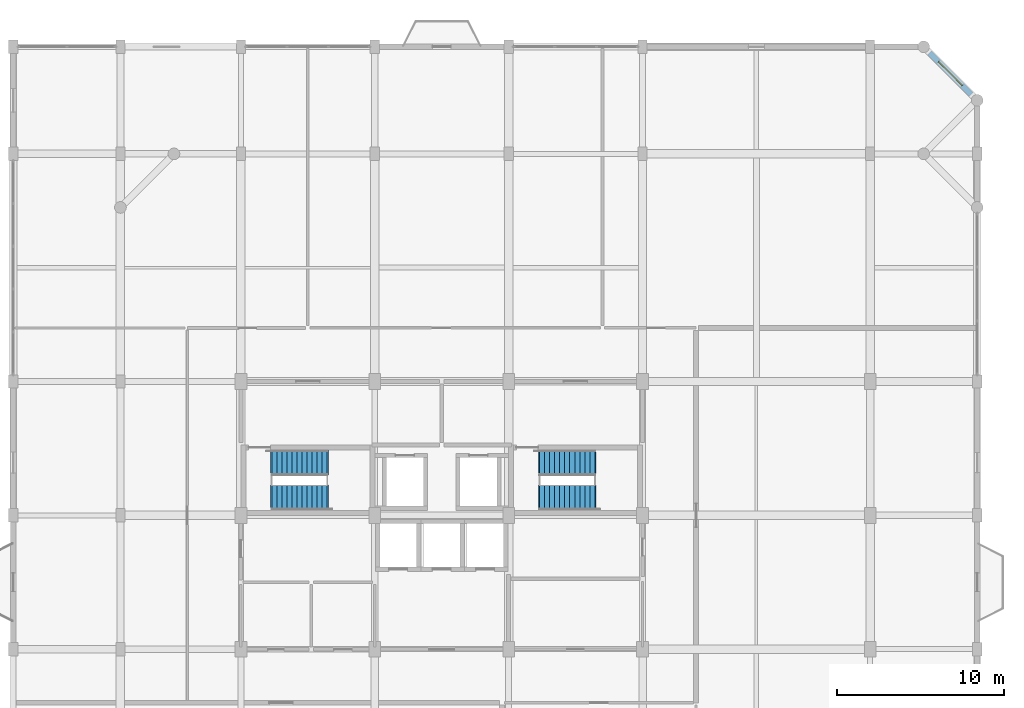
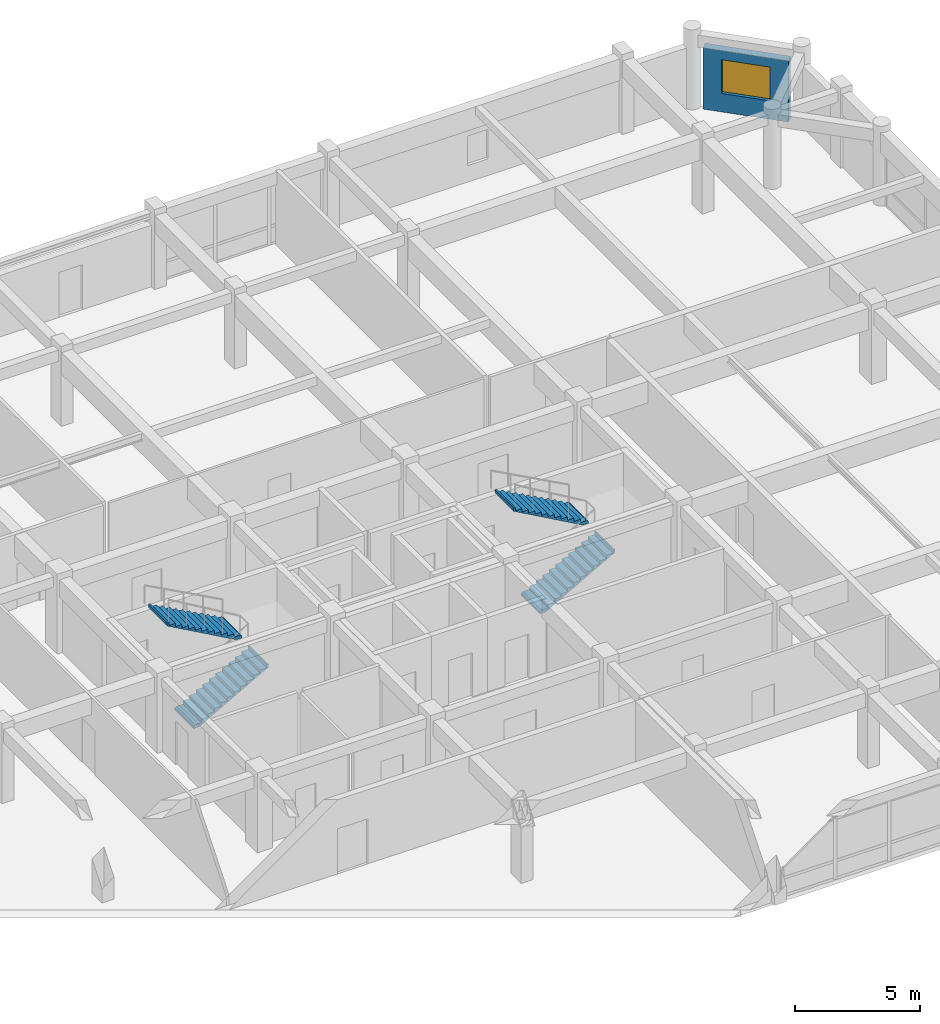
# One storey, part 14 of 15: 4 stair flights, 1 wall, 1 window, 1 opening, 2 elements without a shape of their own.
"""IFC4 building model written with IfcOpenShell, lengths in metres."""

import ifcopenshell
import ifcopenshell.guid

model = None  # the IFC model being written
_history = None  # IfcOwnerHistory: only IFC2X3 demands one
_inside = {}  # id of a spatial element -> (the spatial element, [elements in it])
_under = {}  # id of a project, library or spatial element -> (it, [spatial elements below it])
_declared = {}  # id of a project -> (the project, [libraries it declares])
_typed = {}  # id of a type object -> (the type object, [elements of that type])
_made_of = {}  # id of a material, layer set ... -> (it, [elements and type objects made of it])


def new_model(schema):
    """Start an empty IFC model of exactly this schema.

    Asked for "IFC4X3", IfcOpenShell would pick the latest addendum, in which some entities
    have other attributes; the version numbers below select the first issue.
    IFC2X3 requires an IfcOwnerHistory on every rooted entity: one is made here for all.
    """
    global model, _history
    if schema == "IFC4X3":
        model = ifcopenshell.file(schema_version=(4, 3, 0, 0))
    else:
        model = ifcopenshell.file(schema=schema)
    _inside.clear()
    _under.clear()
    _declared.clear()
    _typed.clear()
    _made_of.clear()
    _history = None
    if model.schema == "IFC2X3":
        org = make("IfcOrganization", Name="unknown")
        user = make(
            "IfcPersonAndOrganization",
            ThePerson=make("IfcPerson", FamilyName="unknown"),
            TheOrganization=org,
        )
        app = make(
            "IfcApplication",
            ApplicationDeveloper=org,
            Version="unknown",
            ApplicationFullName="unknown",
            ApplicationIdentifier="unknown",
        )
        _history = make(
            "IfcOwnerHistory",
            OwningUser=user,
            OwningApplication=app,
            ChangeAction="ADDED",
            CreationDate=0,
        )
    return model


def make(cls, **values):
    """One entity of the class cls with the attributes given. An attribute that is None is left unset."""
    return model.create_entity(
        cls, **{name: value for name, value in values.items() if value is not None}
    )


def rooted(cls, **values):
    """An entity with a GlobalId (a new one), such as an element, a storey or a relation."""
    return make(cls, GlobalId=ifcopenshell.guid.new(), OwnerHistory=_history, **values)


def si_unit(unit_type, name, prefix=None):
    """IfcSIUnit, for example si_unit("LENGTHUNIT", "METRE", prefix="MILLI")."""
    return make("IfcSIUnit", UnitType=unit_type, Prefix=prefix, Name=name)


def assignment(units):
    """IfcUnitAssignment: the units of a project."""
    return None if units is None else make("IfcUnitAssignment", Units=units)


def point(xyz):
    """IfcCartesianPoint."""
    return None if xyz is None else make("IfcCartesianPoint", Coordinates=xyz)


def direction(xyz):
    """IfcDirection."""
    return None if xyz is None else make("IfcDirection", DirectionRatios=xyz)


def frame(location, z_axis=None, x_axis=None):
    """IfcAxis2Placement3D, a coordinate frame: its origin and axes. An axis left out is left unset."""
    return make(
        "IfcAxis2Placement3D",
        Location=point(location),
        Axis=direction(z_axis),
        RefDirection=direction(x_axis),
    )


def frame_2d(location, x_axis=None):
    """IfcAxis2Placement2D, a coordinate frame in the plane: its origin and x axis."""
    return make(
        "IfcAxis2Placement2D", Location=point(location), RefDirection=direction(x_axis)
    )


def origin():
    """The frame at (0, 0, 0) with its axes left unset."""
    return frame((0.0, 0.0, 0.0))


def place(relative_to, where):
    """IfcLocalPlacement: puts the frame where relative to a parent placement (None: the world)."""
    return make(
        "IfcLocalPlacement", PlacementRelTo=relative_to, RelativePlacement=where
    )


def context(
    kind, dimensions, precision=None, world=None, true_north=None, identifier=None
):
    """IfcGeometricRepresentationContext, for example the 3D "Model" context."""
    return make(
        "IfcGeometricRepresentationContext",
        ContextIdentifier=identifier,
        ContextType=kind,
        CoordinateSpaceDimension=dimensions,
        Precision=precision,
        WorldCoordinateSystem=world,
        TrueNorth=true_north,
    )


def subcontext(parent, identifier, kind, view, scale=None):
    """IfcGeometricRepresentationSubContext, for example "Body" below "Model"."""
    return make(
        "IfcGeometricRepresentationSubContext",
        ContextIdentifier=identifier,
        ContextType=kind,
        ParentContext=parent,
        TargetScale=scale,
        TargetView=view,
    )


def project(units=None, contexts=None):
    """IfcProject with its units and contexts."""
    return rooted(
        "IfcProject",
        Name="project",
        RepresentationContexts=contexts,
        UnitsInContext=assignment(units),
    )


def spatial(cls, under=None, at=None, **own):
    """A site, building, storey or space (cls), placed at a placement, below another one or the project."""
    s = rooted(cls, ObjectPlacement=at, **own)
    if under is not None:
        _under.setdefault(under.id(), (under, []))[1].append(s)
    return s


def polyline(points):
    """IfcPolyline through the points."""
    return make("IfcPolyline", Points=[point(p) for p in points])


def profile(cls, at=None, kind="AREA", **sizes):
    """A parametric profile (cls). Its sizes go by their IFC names, for example OverallWidth=200.0."""
    return make(cls, ProfileType=kind, Position=at, **sizes)


def rectangle(**sizes):
    """IfcRectangleProfileDef."""
    return profile("IfcRectangleProfileDef", **sizes)


def outline(outer, holes=None, kind="AREA"):
    """IfcArbitraryClosedProfileDef: a profile drawn as a closed curve; with holes, ...WithVoids."""
    if holes is None:
        return make("IfcArbitraryClosedProfileDef", ProfileType=kind, OuterCurve=outer)
    return make(
        "IfcArbitraryProfileDefWithVoids",
        ProfileType=kind,
        OuterCurve=outer,
        InnerCurves=holes,
    )


def extrude(swept, where, along, depth):
    """IfcExtrudedAreaSolid: the profile swept, set in the frame where, extruded along a direction by depth."""
    return make(
        "IfcExtrudedAreaSolid",
        SweptArea=swept,
        Position=where,
        ExtrudedDirection=direction(along),
        Depth=depth,
    )


def shape(context_of_items, identifier, shape_type, items):
    """IfcShapeRepresentation: the items that make up one representation, for example the "Body"."""
    return make(
        "IfcShapeRepresentation",
        ContextOfItems=context_of_items,
        RepresentationIdentifier=identifier,
        RepresentationType=shape_type,
        Items=items,
    )


def material(Name=None, Category=None):
    """IfcMaterial."""
    return make("IfcMaterial", Name=Name, Category=Category)


def layer(
    of_material, thickness, ventilated=None, Name=None, Category=None, Priority=None
):
    """IfcMaterialLayer: one layer of a wall or slab, of a material (None: an air gap)."""
    return make(
        "IfcMaterialLayer",
        Material=of_material,
        LayerThickness=thickness,
        IsVentilated=ventilated,
        Name=Name,
        Category=Category,
        Priority=Priority,
    )


def layer_set(layers, Name=None):
    """IfcMaterialLayerSet."""
    return make("IfcMaterialLayerSet", MaterialLayers=layers, LayerSetName=Name)


def made_of(thing, what):
    """Note that an element or type object is made of a material, layer set ...; save() writes the relation."""
    if what is not None:
        _made_of.setdefault(what.id(), (what, []))[1].append(thing)
    return thing


def type_object(cls, material=None, **own):
    """A type object (cls), such as IfcWallType, which elements share."""
    return made_of(rooted(cls, **own), material)


def element(
    cls,
    number,
    at=None,
    inside=None,
    cuts=None,
    type_object=None,
    material=None,
    context=None,
    identifier="Body",
    shape_type=None,
    held_by="IfcProductDefinitionShape",
    body=None,
    shapes=None,
    **own,
):
    """One element of the class cls, such as IfcWall. Its Tag is "e" and its number.

    at: its placement. inside: the storey or other place that contains it. cuts: it is an
    opening in that element (IfcRelVoidsElement). A single representation is given by context,
    identifier, shape_type and body (its items); several are given by shapes. held_by: the class
    of the entity that holds the representations. save() writes the other relations.
    """
    e = rooted(cls, Tag="e%d" % number, ObjectPlacement=at, **own)
    if body is not None:
        shapes = [shape(context, identifier, shape_type, body)]
    if shapes is not None:
        e.Representation = make(held_by, Representations=shapes)
    if inside is not None:
        _inside.setdefault(inside.id(), (inside, []))[1].append(e)
    if cuts is not None:
        rooted(
            "IfcRelVoidsElement", RelatingBuildingElement=cuts, RelatedOpeningElement=e
        )
    if type_object is not None:
        _typed.setdefault(type_object.id(), (type_object, []))[1].append(e)
    return made_of(e, material)


def fill(opening, filler):
    """IfcRelFillsElement: the door or window that sits in an opening."""
    return rooted(
        "IfcRelFillsElement",
        RelatingOpeningElement=opening,
        RelatedBuildingElement=filler,
    )


def aggregate(whole, parts):
    """IfcRelAggregates: a whole, such as a stair, and the parts it consists of."""
    return rooted("IfcRelAggregates", RelatingObject=whole, RelatedObjects=parts)


def save(model, path):
    """Write the relations noted so far, then the file.

    IfcRelAggregates (storeys below a building ...), IfcRelContainedInSpatialStructure (elements
    in a storey), IfcRelDefinesByType, IfcRelAssociatesMaterial and IfcRelDeclares: one each for
    every whole, place, type object, material and project.
    """
    for whole, parts in _under.values():
        aggregate(whole, parts)
    for where, things in _inside.values():
        rooted(
            "IfcRelContainedInSpatialStructure",
            RelatedElements=things,
            RelatingStructure=where,
        )
    for kind, things in _typed.values():
        rooted("IfcRelDefinesByType", RelatedObjects=things, RelatingType=kind)
    for what, things in _made_of.values():
        rooted("IfcRelAssociatesMaterial", RelatedObjects=things, RelatingMaterial=what)
    for by, libraries in _declared.values():
        rooted("IfcRelDeclares", RelatingContext=by, RelatedDefinitions=libraries)
    model.write(path)


model = new_model("IFC4")

# Units and contexts
model_context = context("Model", 3, precision=1e-05, world=origin(), true_north=direction((0.0, 1.0)))
body_context = subcontext(model_context, "Body", "Model", "MODEL_VIEW")
ifc_project = project(units=[si_unit("LENGTHUNIT", "METRE"), si_unit("AREAUNIT", "SQUARE_METRE"), si_unit("VOLUMEUNIT", "CUBIC_METRE"), si_unit("PLANEANGLEUNIT", "RADIAN"), si_unit("MASSUNIT", "GRAM", prefix="KILO")], contexts=[model_context])

# Site, building, storey
site_placement = place(None, origin())
site = spatial("IfcSite", under=ifc_project, at=site_placement, CompositionType="ELEMENT")
building_placement = place(site_placement, origin())
building = spatial("IfcBuilding", under=site, at=building_placement, Name="Vellmiral Cinema and Media Centre", CompositionType="ELEMENT")
storey_placement = place(building_placement, frame((0.0, 0.0, 35.60009765625)))
storey = spatial("IfcBuildingStorey", under=building, at=storey_placement, Name="L08", CompositionType="ELEMENT", Elevation=35.60009765625)

# Wall, opening, window
ifc_material_1 = material(Name="Vosges Red Sandstone Masonry", Category="masonry")
ifc_layer = layer(ifc_material_1, 0.340087890625, Name="Vosges Red Sandstone Masonry")
ifc_layer_set = layer_set([ifc_layer], Name="Vosges Red Sandstone Masonry")
wall_type = type_object("IfcWallType", Name="WL-EXT-SAND-340", PredefinedType="SOLIDWALL", material=ifc_layer_set)
wall_placement = place(storey_placement, frame((167.64990234375, 112.35009765625, 0.0), z_axis=(0.0, 0.0, 1.0), x_axis=(-0.707106781187, 0.707106781187, 0.0)))
wall = element("IfcWall", 1, at=wall_placement, inside=storey, type_object=wall_type, Name="Exterior Facade Wall L08-016", PredefinedType="SOLIDWALL", context=body_context, shape_type="SweptSolid", body=[
    extrude(rectangle(XDim=3.53564453125, YDim=0.340087890625, at=frame_2d((1.767822265625, 0.0))), origin(), (0.0, 0.0, 1.0), 2.994873046875),
])
opening_placement = place(wall_placement, frame((0.767822265625, 0.0, 0.89990234375)))
opening = element("IfcOpeningElement", 2, at=opening_placement, cuts=wall, Name="Opening WN-14", PredefinedType="OPENING", context=body_context, shape_type="SweptSolid", body=[
    extrude(rectangle(XDim=2.0, YDim=1.64990234375, at=frame_2d((1.0, 0.824951171875))), frame((0.0, 0.18212890625, 0.0), z_axis=(0.0, -1.0, 0.0), x_axis=(1.0, 0.0, 0.0)), (0.0, 0.0, 1.0), 0.364013671875),
])
ifc_material_2 = material(Name="Thermally Broken Aluminium Triple Glazing", Category="aluminium")
window_type = type_object("IfcWindowType", Name="WN-2000x1650", PartitioningType="DOUBLE_PANEL_HORIZONTAL", PredefinedType="WINDOW", material=ifc_material_2)
window_placement = place(opening_placement, origin())
window = element("IfcWindow", 3, at=window_placement, inside=storey, type_object=window_type, Name="Window L08-016", OverallHeight=1.64990234375, OverallWidth=2.0, PartitioningType="DOUBLE_PANEL_HORIZONTAL", PredefinedType="WINDOW", context=body_context, shape_type="SweptSolid", body=[
    extrude(rectangle(XDim=2.0, YDim=1.64990234375, at=frame_2d((1.0, 0.824951171875))), frame((0.0, 0.030029296875, 0.0), z_axis=(0.0, -1.0, 0.0), x_axis=(1.0, 0.0, 0.0)), (0.0, 0.0, 1.0), 0.06005859375),
])
fill(opening, window)

# Stair, stair flights
ifc_material_3 = material(Name="Concrete C40/50", Category="concrete")
stair_type = type_object("IfcStairType", Name="ST-2RET-390", PredefinedType="HALF_TURN_STAIR", material=ifc_material_3)
stair_1_placement = place(storey_placement, origin())
stair_1 = element("IfcStair", 4, at=stair_1_placement, inside=storey, type_object=stair_type, Name="Protected Escape Stair ST-T1 (L08)", PredefinedType="HALF_TURN_STAIR")
ifc_material_4 = material(Name="Concrete C40/50", Category="concrete")
stair_flight_type = type_object("IfcStairFlightType", Name="STF-STR-390", PredefinedType="STRAIGHT", material=ifc_material_4)
stair_flight_1_placement = place(storey_placement, frame((125.85009765625, 88.25, 0.0), z_axis=(0.0, 0.0, 1.0), x_axis=(1.0, 0.0, 0.0)))
stair_flight_1 = element("IfcStairFlight", 5, at=stair_flight_1_placement, type_object=stair_flight_type, Name="ST-T1 flight 1", NumberOfRisers=12, NumberOfTreads=11, PredefinedType="STRAIGHT", RiserHeight=0.1625, TreadLength=0.3, context=body_context, shape_type="SweptSolid", body=[
    extrude(outline(polyline([(-0.080078125, 0.0), (-0.080078125, 0.097412109375), (0.0, 0.16259765625), (0.300048828125, 0.16259765625), (0.300048828125, 0.324951171875), (0.60009765625, 0.324951171875), (0.60009765625, 0.487548828125), (0.89990234375, 0.487548828125), (0.89990234375, 0.64990234375), (1.199951171875, 0.64990234375), (1.199951171875, 0.8125), (1.5, 0.8125), (1.5, 0.97509765625), (1.800048828125, 0.97509765625), (1.800048828125, 1.137451171875), (2.10009765625, 1.137451171875), (2.10009765625, 1.300048828125), (2.39990234375, 1.300048828125), (2.39990234375, 1.46240234375), (2.699951171875, 1.46240234375), (2.699951171875, 1.625), (3.0, 1.625), (3.0, 1.78759765625), (3.300048828125, 1.78759765625), (3.300048828125, 1.949951171875), (3.380126953125, 1.949951171875), (3.380126953125, 1.7900390625), (0.179931640625, 0.0), (-0.080078125, 0.0)])), frame((0.0, 0.75, 0.0), z_axis=(0.0, -1.0, 0.0), x_axis=(1.0, 0.0, 0.0)), (0.0, 0.0, 1.0), 1.5),
])
stair_flight_2_placement = place(storey_placement, frame((129.14990234375, 90.35009765625, 1.949951171875), z_axis=(0.0, 0.0, 1.0), x_axis=(-1.0, 0.0, 0.0)))
stair_flight_2 = element("IfcStairFlight", 6, at=stair_flight_2_placement, type_object=stair_flight_type, Name="ST-T1 flight 2", NumberOfRisers=12, NumberOfTreads=11, PredefinedType="STRAIGHT", RiserHeight=0.1625, TreadLength=0.3, context=body_context, shape_type="SweptSolid", body=[
    extrude(outline(polyline([(-0.080078125, 0.0), (-0.080078125, 0.097412109375), (0.0, 0.16259765625), (0.300048828125, 0.16259765625), (0.300048828125, 0.324951171875), (0.60009765625, 0.324951171875), (0.60009765625, 0.487548828125), (0.89990234375, 0.487548828125), (0.89990234375, 0.64990234375), (1.199951171875, 0.64990234375), (1.199951171875, 0.8125), (1.5, 0.8125), (1.5, 0.97509765625), (1.800048828125, 0.97509765625), (1.800048828125, 1.137451171875), (2.10009765625, 1.137451171875), (2.10009765625, 1.300048828125), (2.39990234375, 1.300048828125), (2.39990234375, 1.46240234375), (2.699951171875, 1.46240234375), (2.699951171875, 1.625), (3.0, 1.625), (3.0, 1.78759765625), (3.300048828125, 1.78759765625), (3.300048828125, 1.949951171875), (3.380126953125, 1.949951171875), (3.380126953125, 1.7900390625), (0.179931640625, 0.0), (-0.080078125, 0.0)])), frame((0.0, 0.75, 0.0), z_axis=(0.0, -1.0, 0.0), x_axis=(1.0, 0.0, 0.0)), (0.0, 0.0, 1.0), 1.5),
])
aggregate(stair_1, [stair_flight_1, stair_flight_2])

stair_2_placement = place(storey_placement, origin())
stair_2 = element("IfcStair", 7, at=stair_2_placement, inside=storey, type_object=stair_type, Name="Protected Escape Stair ST-T2 (L08)", PredefinedType="HALF_TURN_STAIR")
stair_flight_3_placement = place(storey_placement, frame((141.85009765625, 88.25, 0.0), z_axis=(0.0, 0.0, 1.0), x_axis=(1.0, 0.0, 0.0)))
stair_flight_3 = element("IfcStairFlight", 8, at=stair_flight_3_placement, type_object=stair_flight_type, Name="ST-T2 flight 1", NumberOfRisers=12, NumberOfTreads=11, PredefinedType="STRAIGHT", RiserHeight=0.1625, TreadLength=0.3, context=body_context, shape_type="SweptSolid", body=[
    extrude(outline(polyline([(-0.080078125, 0.0), (-0.080078125, 0.097412109375), (0.0, 0.16259765625), (0.300048828125, 0.16259765625), (0.300048828125, 0.324951171875), (0.60009765625, 0.324951171875), (0.60009765625, 0.487548828125), (0.89990234375, 0.487548828125), (0.89990234375, 0.64990234375), (1.199951171875, 0.64990234375), (1.199951171875, 0.8125), (1.5, 0.8125), (1.5, 0.97509765625), (1.800048828125, 0.97509765625), (1.800048828125, 1.137451171875), (2.10009765625, 1.137451171875), (2.10009765625, 1.300048828125), (2.39990234375, 1.300048828125), (2.39990234375, 1.46240234375), (2.699951171875, 1.46240234375), (2.699951171875, 1.625), (3.0, 1.625), (3.0, 1.78759765625), (3.300048828125, 1.78759765625), (3.300048828125, 1.949951171875), (3.380126953125, 1.949951171875), (3.380126953125, 1.7900390625), (0.179931640625, 0.0), (-0.080078125, 0.0)])), frame((0.0, 0.75, 0.0), z_axis=(0.0, -1.0, 0.0), x_axis=(1.0, 0.0, 0.0)), (0.0, 0.0, 1.0), 1.5),
])
stair_flight_4_placement = place(storey_placement, frame((145.14990234375, 90.35009765625, 1.949951171875), z_axis=(0.0, 0.0, 1.0), x_axis=(-1.0, 0.0, 0.0)))
stair_flight_4 = element("IfcStairFlight", 9, at=stair_flight_4_placement, type_object=stair_flight_type, Name="ST-T2 flight 2", NumberOfRisers=12, NumberOfTreads=11, PredefinedType="STRAIGHT", RiserHeight=0.1625, TreadLength=0.3, context=body_context, shape_type="SweptSolid", body=[
    extrude(outline(polyline([(-0.080078125, 0.0), (-0.080078125, 0.097412109375), (0.0, 0.16259765625), (0.300048828125, 0.16259765625), (0.300048828125, 0.324951171875), (0.60009765625, 0.324951171875), (0.60009765625, 0.487548828125), (0.89990234375, 0.487548828125), (0.89990234375, 0.64990234375), (1.199951171875, 0.64990234375), (1.199951171875, 0.8125), (1.5, 0.8125), (1.5, 0.97509765625), (1.800048828125, 0.97509765625), (1.800048828125, 1.137451171875), (2.10009765625, 1.137451171875), (2.10009765625, 1.300048828125), (2.39990234375, 1.300048828125), (2.39990234375, 1.46240234375), (2.699951171875, 1.46240234375), (2.699951171875, 1.625), (3.0, 1.625), (3.0, 1.78759765625), (3.300048828125, 1.78759765625), (3.300048828125, 1.949951171875), (3.380126953125, 1.949951171875), (3.380126953125, 1.7900390625), (0.179931640625, 0.0), (-0.080078125, 0.0)])), frame((0.0, 0.75, 0.0), z_axis=(0.0, -1.0, 0.0), x_axis=(1.0, 0.0, 0.0)), (0.0, 0.0, 1.0), 1.5),
])
aggregate(stair_2, [stair_flight_3, stair_flight_4])

save(model, "model.ifc")
